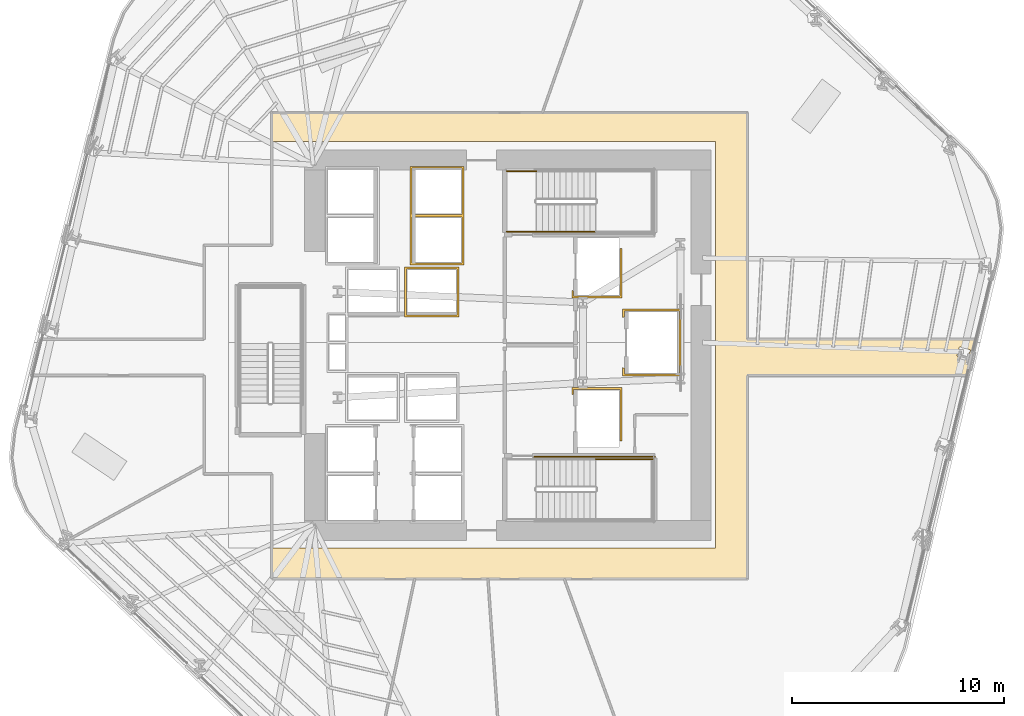
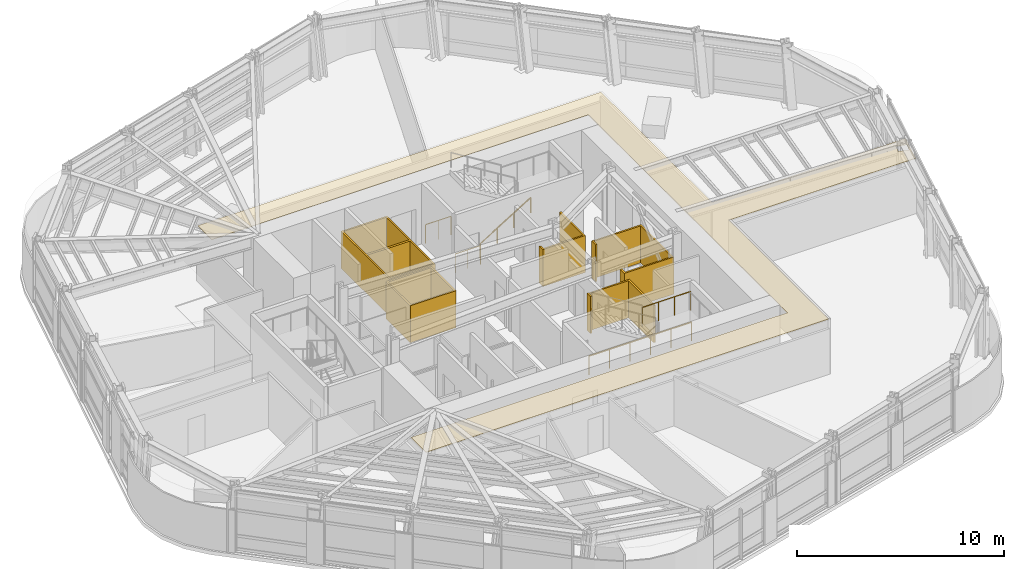
# One storey, part 12 of 15: 6 coverings, 5 railings.
"""IFC4 building model written with IfcOpenShell, lengths in metres."""

from ifc_helpers import new_model, si_unit, direction, frame, origin, origin_2d, place, context, subcontext, project, spatial, polyline, circle, outline, extrude, material, layer, layer_set, type_object, element, save


model = new_model("IFC4")

# Units and contexts
model_context = context("Model", 3, precision=1e-05, world=origin(), true_north=direction((0.0, 1.0)))
body_context = subcontext(model_context, "Body", "Model", "MODEL_VIEW")
ifc_project = project(units=[si_unit("LENGTHUNIT", "METRE"), si_unit("AREAUNIT", "SQUARE_METRE"), si_unit("VOLUMEUNIT", "CUBIC_METRE"), si_unit("PLANEANGLEUNIT", "RADIAN"), si_unit("MASSUNIT", "GRAM", prefix="KILO")], contexts=[model_context])

# Site, building, storey
site_placement = place(None, origin())
site = spatial("IfcSite", under=ifc_project, at=site_placement, CompositionType="ELEMENT")
building_placement = place(site_placement, origin())
building = spatial("IfcBuilding", under=site, at=building_placement, Name="Valkerne Bourse Tower", CompositionType="ELEMENT")
storey_placement = place(building_placement, frame((0.0, 0.0, 93.39990234375)))
storey = spatial("IfcBuildingStorey", under=building, at=storey_placement, Name="L23", CompositionType="ELEMENT", Elevation=93.39990234375)

# Coverings
ifc_material_1 = material(Name="Bronze Anodised Aluminium AA 6063-T6", Category="aluminium")
ifc_layer_1 = layer(ifc_material_1, 0.030029296875)
ifc_layer_set_1 = layer_set([ifc_layer_1], Name="Bronze Anodised Aluminium AA 6063-T6")
covering_type_1 = type_object("IfcCoveringType", Name="COV-CEIL-METAL", PredefinedType="CEILING", material=ifc_layer_set_1)
covering_1_placement = place(storey_placement, frame((0.0, 0.0, 3.22998046875)))
element("IfcCovering", 1, at=covering_1_placement, inside=storey, type_object=covering_type_1, Name="L23 Suspended Ceiling 01", PredefinedType="CEILING", context=body_context, shape_type="SweptSolid", body=[
    extrude(outline(polyline([(68.864501953125, 27.14599609375), (68.460205078125, 25.4541015625), (58.095947265625, 25.4541015625), (58.095947265625, 15.85400390625), (35.654052734375, 15.85400390625), (35.654052734375, 17.300048828125), (56.60009765625, 17.300048828125), (56.60009765625, 36.5), (35.654052734375, 36.5), (35.654052734375, 37.845947265625), (58.095947265625, 37.845947265625), (58.095947265625, 27.14599609375), (68.864501953125, 27.14599609375)]), holes=[polyline([(68.652099609375, 26.65869140625), (68.652099609375, 26.66162109375), (68.1328125, 26.804443359375), (68.01318359375, 26.372314453125), (68.012939453125, 26.369140625), (68.53271484375, 26.2265625), (68.652099609375, 26.65869140625)])]), origin(), (0.0, 0.0, 1.0), 0.025146484375),
])
ifc_material_2 = material(Name="Gypsum Shaftwall Liner Board", Category="gypsum")
ifc_layer_2 = layer(ifc_material_2, 0.080078125)
ifc_layer_set_2 = layer_set([ifc_layer_2], Name="Gypsum Shaftwall Liner Board")
covering_type_2 = type_object("IfcCoveringType", Name="COV-SHF-CLAD", PredefinedType="CLADDING", material=ifc_layer_set_2)
covering_2_placement = place(storey_placement, origin())
element("IfcCovering", 2, at=covering_2_placement, inside=storey, type_object=covering_type_2, Name="L23 Hoistway & Riser Shaftwall Liner 07", PredefinedType="CLADDING", context=body_context, shape_type="SweptSolid", body=[
    extrude(outline(polyline([(52.179931640625, 22.35009765625), (52.090087890625, 22.35009765625), (52.090087890625, 24.7900390625), (49.909912109375, 24.7900390625), (49.909912109375, 24.560791015625), (49.869384765625, 24.550537109375), (49.827880859375, 24.53564453125), (49.820068359375, 24.531982421875), (49.820068359375, 24.8798828125), (52.179931640625, 24.8798828125), (52.179931640625, 22.35009765625)])), origin(), (0.0, 0.0, 1.0), 2.18017578125),
])
covering_3_placement = place(storey_placement, origin())
element("IfcCovering", 3, at=covering_3_placement, inside=storey, type_object=covering_type_2, Name="L23 Hoistway & Riser Shaftwall Liner 08", PredefinedType="CLADDING", context=body_context, shape_type="SweptSolid", body=[
    extrude(outline(polyline([(54.97998046875, 25.419921875), (52.219970703125, 25.419921875), (52.219970703125, 25.81787109375), (52.227783203125, 25.814208984375), (52.269287109375, 25.79931640625), (52.31005859375, 25.789306640625), (52.31005859375, 25.510009765625), (54.889892578125, 25.510009765625), (54.889892578125, 28.489990234375), (52.31005859375, 28.489990234375), (52.31005859375, 28.210693359375), (52.269287109375, 28.20068359375), (52.227783203125, 28.185791015625), (52.219970703125, 28.18212890625), (52.219970703125, 28.580078125), (54.97998046875, 28.580078125), (54.97998046875, 25.419921875)])), origin(), (0.0, 0.0, 1.0), 2.18017578125),
])
covering_4_placement = place(storey_placement, origin())
element("IfcCovering", 4, at=covering_4_placement, inside=storey, type_object=covering_type_2, Name="L23 Hoistway & Riser Shaftwall Liner 09", PredefinedType="CLADDING", context=body_context, shape_type="SweptSolid", body=[
    extrude(outline(polyline([(44.47998046875, 28.219970703125), (41.919921875, 28.219970703125), (41.919921875, 30.580078125), (44.47998046875, 30.580078125), (44.47998046875, 28.219970703125)]), holes=[polyline([(42.010009765625, 30.489990234375), (42.010009765625, 28.31005859375), (44.389892578125, 28.31005859375), (44.389892578125, 30.489990234375), (42.010009765625, 30.489990234375)])]), origin(), (0.0, 0.0, 1.0), 2.18017578125),
])
covering_5_placement = place(storey_placement, origin())
element("IfcCovering", 5, at=covering_5_placement, inside=storey, type_object=covering_type_2, Name="L23 Hoistway & Riser Shaftwall Liner 10", PredefinedType="CLADDING", context=body_context, shape_type="SweptSolid", body=[
    extrude(outline(polyline([(49.820068359375, 29.1201171875), (49.820068359375, 29.468017578125), (49.827880859375, 29.46435546875), (49.869384765625, 29.449462890625), (49.909912109375, 29.439208984375), (49.909912109375, 29.2099609375), (52.090087890625, 29.2099609375), (52.090087890625, 31.449951171875), (52.179931640625, 31.449951171875), (52.179931640625, 29.1201171875), (49.820068359375, 29.1201171875)])), origin(), (0.0, 0.0, 1.0), 2.18017578125),
])
covering_6_placement = place(storey_placement, origin())
element("IfcCovering", 6, at=covering_6_placement, inside=storey, type_object=covering_type_2, Name="L23 Hoistway & Riser Shaftwall Liner 11", PredefinedType="CLADDING", context=body_context, shape_type="SweptSolid", body=[
    extrude(outline(polyline([(44.72998046875, 35.330078125), (44.72998046875, 33.030029296875), (44.72998046875, 32.969970703125), (44.72998046875, 30.669921875), (42.169921875, 30.669921875), (42.169921875, 32.969970703125), (42.169921875, 33.030029296875), (42.169921875, 35.330078125), (44.72998046875, 35.330078125)]), holes=[polyline([(42.260009765625, 30.760009765625), (44.639892578125, 30.760009765625), (44.639892578125, 32.93994140625), (42.260009765625, 32.93994140625), (42.260009765625, 30.760009765625)]), polyline([(42.260009765625, 33.06005859375), (44.639892578125, 33.06005859375), (44.639892578125, 35.239990234375), (42.260009765625, 35.239990234375), (42.260009765625, 33.06005859375)])]), origin(), (0.0, 0.0, 1.0), 2.18017578125),
])

# Railings
ifc_material_3 = material(Name="Galvanised Painted Steel", Category="steel")
railing_type_1 = type_object("IfcRailingType", Name="RLG-ST-GUARD-1120", PredefinedType="GUARDRAIL", material=ifc_material_3)
railing_1_placement = place(storey_placement, frame((50.949951171875, 21.5, 1.900146484375)))
element("IfcRailing", 7, at=railing_1_placement, inside=storey, type_object=railing_type_1, Name="L23 ST-1 stair guard 4", PredefinedType="GUARDRAIL", context=body_context, shape_type="SweptSolid", body=[
    extrude(circle(Radius=0.02392578125, at=origin_2d()), frame((0.0, 0.0, 1.09619140625), z_axis=(1.0, 0.0, 0.0), x_axis=(0.0, 1.0, 0.0)), (0.0, 0.0, 1.0), 2.699951171875),
    extrude(circle(Radius=0.02099609375, at=origin_2d()), origin(), (0.0, 0.0, 1.0), 1.072021484375),
    extrude(circle(Radius=0.02099609375, at=origin_2d()), frame((0.89990234375, 0.0, 0.0)), (0.0, 0.0, 1.0), 1.072021484375),
    extrude(circle(Radius=0.02099609375, at=origin_2d()), frame((1.800048828125, 0.0, 0.0)), (0.0, 0.0, 1.0), 1.072021484375),
    extrude(circle(Radius=0.02099609375, at=origin_2d()), frame((2.699951171875, 0.0, 0.0)), (0.0, 0.0, 1.0), 1.072021484375),
])
railing_2_placement = place(storey_placement, frame((48.050048828125, 21.60009765625, 0.0)))
element("IfcRailing", 8, at=railing_2_placement, inside=storey, type_object=railing_type_1, Name="L23 ST-1 stair guard 11", PredefinedType="GUARDRAIL", context=body_context, shape_type="SweptSolid", body=[
    extrude(circle(Radius=0.02392578125, at=origin_2d()), frame((0.0, 0.0, 1.09619140625), z_axis=(1.0, 0.0, 0.0), x_axis=(0.0, 1.0, 0.0)), (0.0, 0.0, 1.0), 5.699951171875),
    extrude(circle(Radius=0.02099609375, at=origin_2d()), origin(), (0.0, 0.0, 1.0), 1.072021484375),
    extrude(circle(Radius=0.02099609375, at=origin_2d()), frame((1.139892578125, 0.0, 0.0)), (0.0, 0.0, 1.0), 1.072021484375),
    extrude(circle(Radius=0.02099609375, at=origin_2d()), frame((2.280029296875, 0.0, 0.0)), (0.0, 0.0, 1.0), 1.072021484375),
    extrude(circle(Radius=0.02099609375, at=origin_2d()), frame((3.419921875, 0.0, 0.0)), (0.0, 0.0, 1.0), 1.072021484375),
    extrude(circle(Radius=0.02099609375, at=origin_2d()), frame((4.56005859375, 0.0, 0.0)), (0.0, 0.0, 1.0), 1.072021484375),
    extrude(circle(Radius=0.02099609375, at=origin_2d()), frame((5.699951171875, 0.0, 0.0)), (0.0, 0.0, 1.0), 1.072021484375),
])
for number, where, name in (
    (9, (46.75, 32.25, 0.0), "L23 ST-2 stair guard 8"),
    (10, (46.75, 35.10009765625, 0.0), "L23 ST-2 stair guard 9"),
):
    element("IfcRailing", number, at=place(storey_placement, frame(where)), inside=storey, type_object=railing_type_1, Name=name, PredefinedType="GUARDRAIL", context=body_context, shape_type="SweptSolid", body=[
        extrude(circle(Radius=0.02392578125, at=origin_2d()), frame((0.0, 0.0, 1.09619140625), z_axis=(1.0, 0.0, 0.0), x_axis=(0.0, 1.0, 0.0)), (0.0, 0.0, 1.0), 1.39990234375),
        extrude(circle(Radius=0.02099609375, at=origin_2d()), origin(), (0.0, 0.0, 1.0), 1.072021484375),
        extrude(circle(Radius=0.02099609375, at=origin_2d()), frame((0.699951171875, 0.0, 0.0)), (0.0, 0.0, 1.0), 1.072021484375),
        extrude(circle(Radius=0.02099609375, at=origin_2d()), frame((1.39990234375, 0.0, 0.0)), (0.0, 0.0, 1.0), 1.072021484375),
    ])
ifc_material_4 = material(Name="Stainless Steel AISI 316", Category="steel")
railing_type_2 = type_object("IfcRailingType", Name="RLG-ST-HANDRAIL-900", PredefinedType="HANDRAIL", material=ifc_material_4)
railing_3_placement = place(storey_placement, frame((48.14990234375, 32.25, 0.345458984375)))
element("IfcRailing", 11, at=railing_3_placement, inside=storey, type_object=railing_type_2, Name="L23 ST-2 stair handrail 1", PredefinedType="HANDRAIL", context=body_context, shape_type="SweptSolid", body=[
    extrude(circle(Radius=0.02392578125, at=origin_2d()), frame((0.0, 0.0, 0.8759765625), z_axis=(0.851089632645, 0.0, 0.525020415988), x_axis=(0.0, 1.0, 0.0)), (0.0, 0.0, 1.0), 3.2900390625),
    extrude(circle(Radius=0.02099609375, at=origin_2d()), origin(), (0.0, 0.0, 1.0), 0.851806640625),
    extrude(circle(Radius=0.02099609375, at=origin_2d()), frame((0.933349609375, 0.0, 0.57568359375)), (0.0, 0.0, 1.0), 0.851806640625),
    extrude(circle(Radius=0.02099609375, at=origin_2d()), frame((1.86669921875, 0.0, 1.151611328125)), (0.0, 0.0, 1.0), 0.851806640625),
    extrude(circle(Radius=0.02099609375, at=origin_2d()), frame((2.800048828125, 0.0, 1.727294921875)), (0.0, 0.0, 1.0), 0.851806640625),
])

save(model, "model.ifc")
